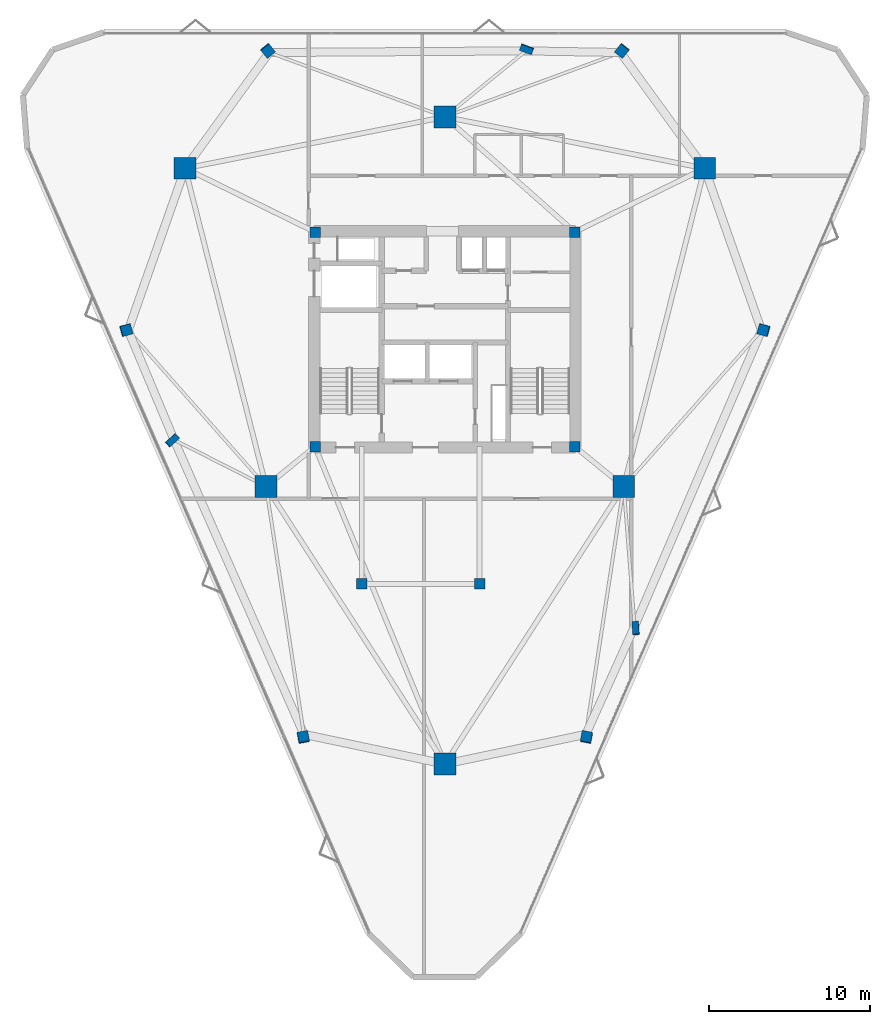
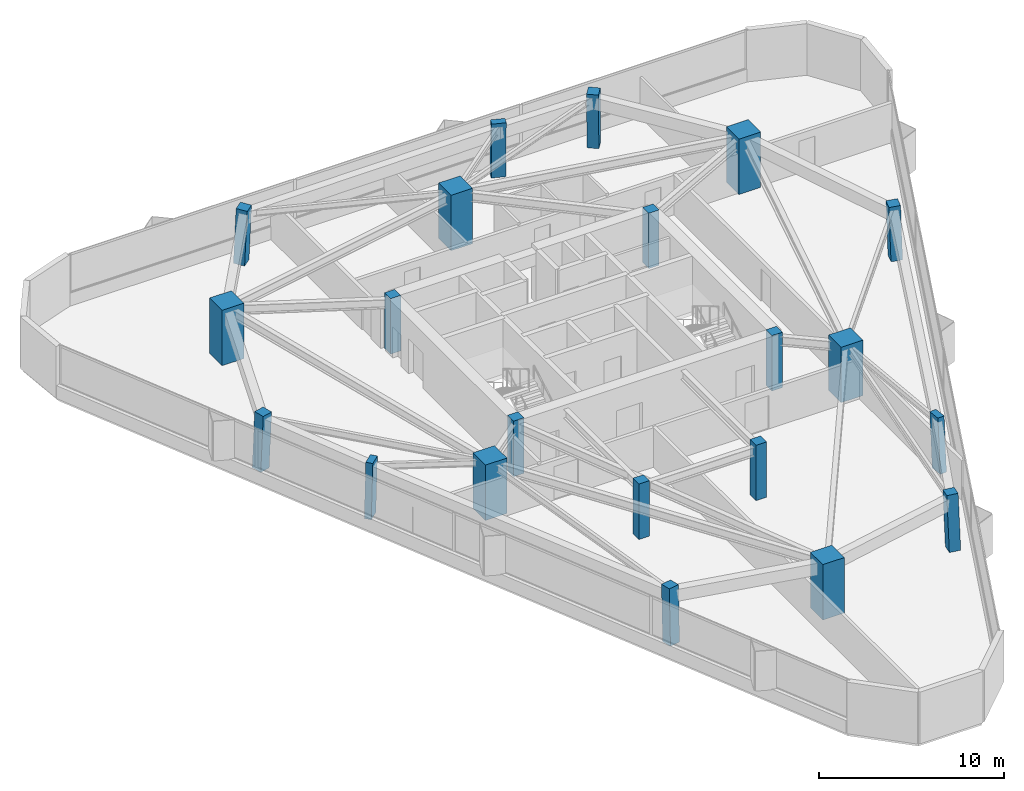
# One storey, part 1 of 12: 21 columns.
"""IFC4 building model written with IfcOpenShell, lengths in metres."""

from ifc_helpers import new_model, si_unit, direction, frame, origin, origin_2d, place, context, subcontext, project, spatial, rectangle, extrude, material, material_profile, profile_set, type_object, element, save


model = new_model("IFC4")

# Units and contexts
model_context = context("Model", 3, precision=1e-05, world=origin(), true_north=direction((0.0, 1.0)))
body_context = subcontext(model_context, "Body", "Model", "MODEL_VIEW")
ifc_project = project(units=[si_unit("LENGTHUNIT", "METRE"), si_unit("AREAUNIT", "SQUARE_METRE"), si_unit("VOLUMEUNIT", "CUBIC_METRE"), si_unit("PLANEANGLEUNIT", "RADIAN"), si_unit("MASSUNIT", "GRAM", prefix="KILO")], contexts=[model_context])

# Site, building, storey
site_placement = place(None, origin())
site = spatial("IfcSite", under=ifc_project, at=site_placement, CompositionType="ELEMENT")
building_placement = place(site_placement, origin())
building = spatial("IfcBuilding", under=site, at=building_placement, Name="Talyreon Biosciences Tower", CompositionType="ELEMENT")
storey_placement = place(building_placement, frame((0.0, 0.0, 194.0)))
storey = spatial("IfcBuildingStorey", under=building, at=storey_placement, Name="L51", CompositionType="ELEMENT", Elevation=194.0)

# Columns
ifc_material_1 = material(Name="Precast concrete C45/55", Category="concrete")
ifc_material_profile_1 = material_profile(ifc_material_1, rectangle(XDim=0.800048828125, YDim=0.39990234375, at=origin_2d()), Name="RC 800x400")
ifc_profile_set_1 = profile_set([ifc_material_profile_1], Name="Precast concrete C45/55")
column_type_1 = type_object("IfcColumnType", Name="FacadePilaster_800x400", PredefinedType="PILASTER", material=ifc_profile_set_1)
column_1_placement = place(storey_placement, frame((77.835205078125, 50.07666015625, 0.0029296875), z_axis=(-0.019545094565, 0.038286966066, 0.999075621516), x_axis=(0.06130480729, -0.997340363795, 0.039419783721)))
element("IfcColumn", 1, at=column_1_placement, inside=storey, type_object=column_type_1, Name="L51 Facade Pilaster PL-SE", PredefinedType="PILASTER", context=body_context, shape_type="SweptSolid", body=[
    extrude(rectangle(XDim=0.800048828125, YDim=0.39990234375, at=origin_2d()), origin(), (0.0, 0.0, 1.0), 3.6474609375),
])
column_2_placement = place(storey_placement, frame((71.0712890625, 86.001953125, 0.0029296875), z_axis=(-0.012386580681, -0.033477245085, 0.999362720278), x_axis=(-0.937861842681, 0.347008881792, 0.0)))
element("IfcColumn", 2, at=column_2_placement, inside=storey, type_object=column_type_1, Name="L51 Facade Pilaster PL-N", PredefinedType="PILASTER", context=body_context, shape_type="SweptSolid", body=[
    extrude(rectangle(XDim=0.800048828125, YDim=0.39990234375, at=origin_2d()), origin(), (0.0, 0.0, 1.0), 3.646484375),
])
column_3_placement = place(storey_placement, frame((49.09326171875, 61.736083984375, 0.0029296875), z_axis=(0.032073367297, 0.010512565064, 0.999430230224), x_axis=(0.746670956235, 0.664473104128, -0.03095120363)))
element("IfcColumn", 3, at=column_3_placement, inside=storey, type_object=column_type_1, Name="L51 Facade Pilaster PL-SW", PredefinedType="PILASTER", context=body_context, shape_type="SweptSolid", body=[
    extrude(rectangle(XDim=0.800048828125, YDim=0.39990234375, at=origin_2d()), origin(), (0.0, 0.0, 1.0), 3.646240234375),
])
ifc_material_2 = material(Name="Concrete C50/60", Category="concrete")
ifc_material_profile_2 = material_profile(ifc_material_2, rectangle(XDim=1.35009765625, YDim=1.35009765625, at=origin_2d()), Name="RC 1350x1350")
ifc_profile_set_2 = profile_set([ifc_material_profile_2], Name="Concrete C50/60")
column_type_2 = type_object("IfcColumnType", Name="MegaColumn_1350", PredefinedType="COLUMN", material=ifc_profile_set_2)
for number, where, z_axis, x_axis, name in (
    (4, (66.0, 41.6669921875, 0.0), (0.0, 0.0, 1.0), (1.0, 0.0, 0.0), "L51 Composite Mega-Column MC1"),
    (5, (82.102294921875, 78.5986328125, 0.0), (0.0, 0.0, 1.0), (1.0, 0.0, 0.0), "L51 Composite Mega-Column MC2"),
    (6, (49.897705078125, 78.5986328125, 0.0), (0.0, 0.0, 1.0), (1.0, 0.0, 0.0), "L51 Composite Mega-Column MC3"),
    (7, (77.086181640625, 58.88037109375, 0.0), (0.0, 0.0, 1.0), (1.0, 0.0, 0.0), "L51 Composite Mega-Column MC4"),
    (8, (66.0, 81.788818359375, 0.0), (0.0, 0.0, 1.0), (1.0, 0.0, 0.0), "L51 Composite Mega-Column MC5"),
    (9, (54.913818359375, 58.88037109375, 0.0), (0.0, 0.0, 1.0), (1.0, 0.0, 0.0), "L51 Composite Mega-Column MC6"),
):
    element("IfcColumn", number, at=place(storey_placement, frame(where, z_axis=z_axis, x_axis=x_axis)), inside=storey, type_object=column_type_2, Name=name, PredefinedType="COLUMN", context=body_context, shape_type="SweptSolid", body=[
        extrude(rectangle(XDim=1.35009765625, YDim=1.35009765625, at=origin_2d()), origin(), (0.0, 0.0, 1.0), 3.64990234375),
    ])
ifc_material_profile_3 = material_profile(ifc_material_2, rectangle(XDim=0.64990234375, YDim=0.64990234375, at=origin_2d()), Name="RC 650x650")
ifc_profile_set_3 = profile_set([ifc_material_profile_3], Name="Concrete C50/60")
column_type_3 = type_object("IfcColumnType", Name="PerimeterColumn_650", PredefinedType="COLUMN", material=ifc_profile_set_3)
for number, where, z_axis, x_axis, name in (
    (10, (57.949951171875, 61.35009765625, 0.0), (0.0, 0.0, 1.0), (1.0, 0.0, 0.0), "L51 Core Column CC1"),
    (11, (74.050048828125, 61.35009765625, 0.0), (0.0, 0.0, 1.0), (1.0, 0.0, 0.0), "L51 Core Column CC2"),
    (12, (74.050048828125, 74.64990234375, 0.0), (0.0, 0.0, 1.0), (1.0, 0.0, 0.0), "L51 Core Column CC3"),
    (13, (57.949951171875, 74.64990234375, 0.0), (0.0, 0.0, 1.0), (1.0, 0.0, 0.0), "L51 Core Column CC4"),
    (14, (60.85009765625, 52.840087890625, 0.0), (0.0, 0.0, 1.0), (1.0, 0.0, 0.0), "L51 Core Column CSW"),
    (15, (68.14990234375, 52.840087890625, 0.0), (0.0, 0.0, 1.0), (1.0, 0.0, 0.0), "L51 Core Column CSE"),
):
    element("IfcColumn", number, at=place(storey_placement, frame(where, z_axis=z_axis, x_axis=x_axis)), inside=storey, type_object=column_type_3, Name=name, PredefinedType="COLUMN", context=body_context, shape_type="SweptSolid", body=[
        extrude(rectangle(XDim=0.64990234375, YDim=0.64990234375, at=origin_2d()), origin(), (0.0, 0.0, 1.0), 3.64990234375),
    ])
column_4_placement = place(storey_placement, frame((74.785400390625, 43.315185546875, 0.0029296875), z_axis=(-0.012375141264, 0.054450621561, 0.998439775695), x_axis=(-0.186030584617, -0.981208771231, 0.051205164252)))
element("IfcColumn", 16, at=column_4_placement, inside=storey, type_object=column_type_3, Name="L51 Tapering Perimeter Column PC-SE1", PredefinedType="COLUMN", context=body_context, shape_type="SweptSolid", body=[
    extrude(rectangle(XDim=0.64990234375, YDim=0.64990234375, at=origin_2d()), origin(), (0.0, 0.0, 1.0), 3.649658203125),
])
column_5_placement = place(storey_placement, frame((85.773193359375, 68.5771484375, 0.0029296875), z_axis=(-0.039229508262, -0.005623342481, 0.999214403269), x_axis=(0.963615871759, -0.26480887195, 0.036341615678)))
element("IfcColumn", 17, at=column_5_placement, inside=storey, type_object=column_type_3, Name="L51 Tapering Perimeter Column PC-SE2", PredefinedType="COLUMN", context=body_context, shape_type="SweptSolid", body=[
    extrude(rectangle(XDim=0.64990234375, YDim=0.64990234375, at=origin_2d()), origin(), (0.0, 0.0, 1.0), 3.64697265625),
])
for number, where, z_axis, x_axis, name in (
    (18, (76.988037109375, 85.902099609375, 0.0029296875), (-0.026907963191, -0.033534551141, 0.999075270136), (-0.779956681152, 0.625833504637, 0.0), "L51 Tapering Perimeter Column PC-N1"),
    (19, (55.01220703125, 85.902099609375, 0.0029296875), (0.026841076243, -0.033534611465, 0.999077067328), (-0.780716755404, -0.624885067698, 0.0), "L51 Tapering Perimeter Column PC-N2"),
):
    element("IfcColumn", number, at=place(storey_placement, frame(where, z_axis=z_axis, x_axis=x_axis)), inside=storey, type_object=column_type_3, Name=name, PredefinedType="COLUMN", context=body_context, shape_type="SweptSolid", body=[
        extrude(rectangle(XDim=0.64990234375, YDim=0.64990234375, at=origin_2d()), origin(), (0.0, 0.0, 1.0), 3.6474609375),
    ])
column_6_placement = place(storey_placement, frame((46.226806640625, 68.5771484375, 0.0029296875), z_axis=(0.039229508262, -0.005623342481, 0.999214403269), x_axis=(0.963615871759, 0.26480887195, -0.036341615678)))
element("IfcColumn", 20, at=column_6_placement, inside=storey, type_object=column_type_3, Name="L51 Tapering Perimeter Column PC-SW1", PredefinedType="COLUMN", context=body_context, shape_type="SweptSolid", body=[
    extrude(rectangle(XDim=0.64990234375, YDim=0.64990234375, at=origin_2d()), origin(), (0.0, 0.0, 1.0), 3.64697265625),
])
column_7_placement = place(storey_placement, frame((57.214599609375, 43.315185546875, 0.0029296875), z_axis=(0.012375141264, 0.054450621561, 0.998439775695), x_axis=(-0.186030584617, 0.981208771231, -0.051205164252)))
element("IfcColumn", 21, at=column_7_placement, inside=storey, type_object=column_type_3, Name="L51 Tapering Perimeter Column PC-SW2", PredefinedType="COLUMN", context=body_context, shape_type="SweptSolid", body=[
    extrude(rectangle(XDim=0.64990234375, YDim=0.64990234375, at=origin_2d()), origin(), (0.0, 0.0, 1.0), 3.649658203125),
])

save(model, "model.ifc")
